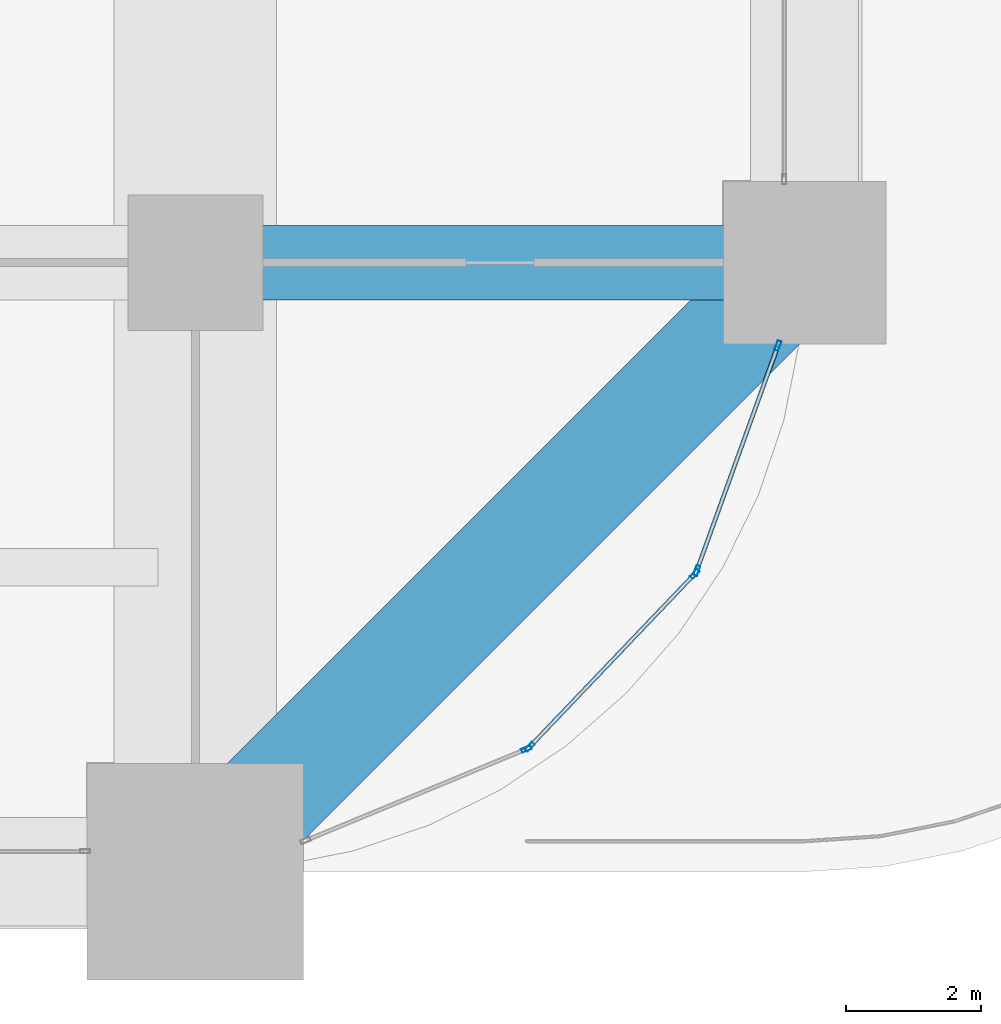
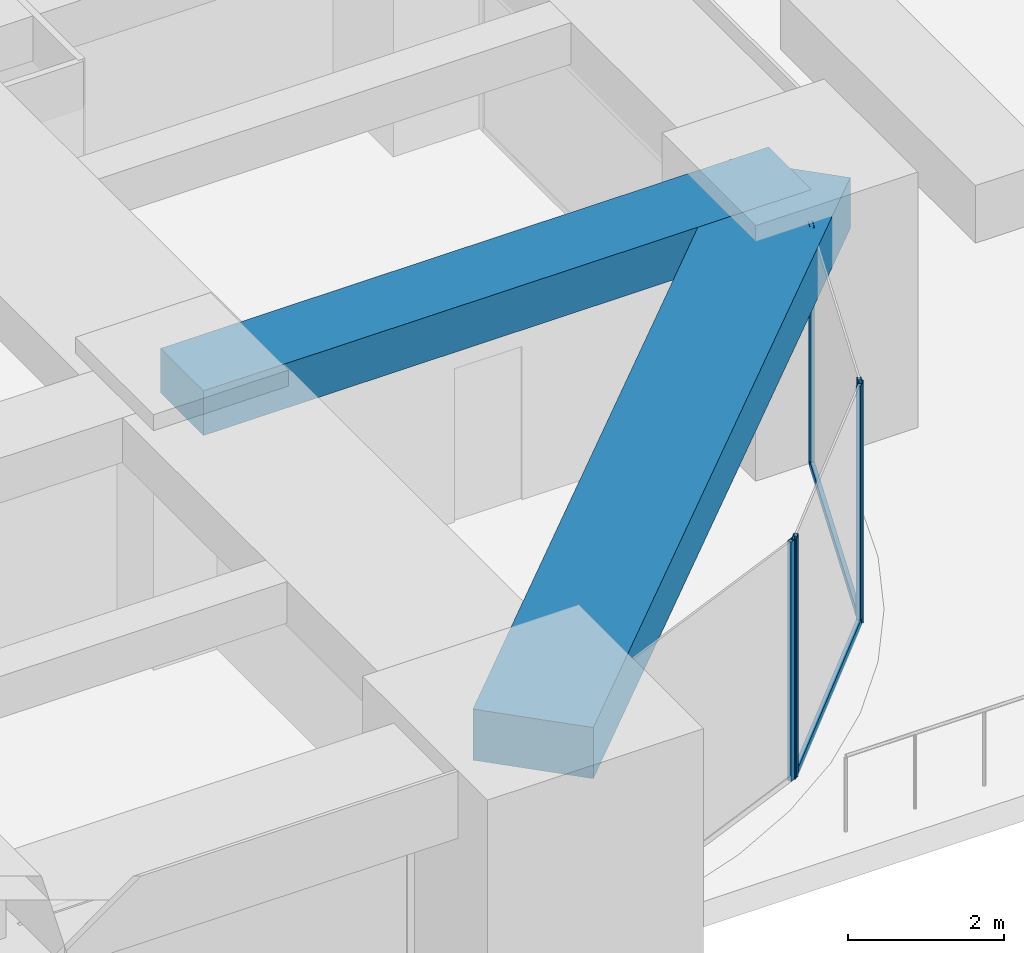
# One storey, part 17 of 35: 7 members, 2 beams, 3 elements without a shape of their own.
"""IFC4 building model written with IfcOpenShell, lengths in metres."""

from ifc_helpers import new_model, si_unit, direction, frame, origin, origin_2d, place, context, subcontext, project, spatial, rectangle, hollow_rectangle, extrude, material, material_profile, profile_set, type_object, element, aggregate, save


model = new_model("IFC4")

# Units and contexts
model_context = context("Model", 3, precision=1e-05, world=origin(), true_north=direction((0.0, 1.0)))
body_context = subcontext(model_context, "Body", "Model", "MODEL_VIEW")
ifc_project = project(units=[si_unit("LENGTHUNIT", "METRE"), si_unit("AREAUNIT", "SQUARE_METRE"), si_unit("VOLUMEUNIT", "CUBIC_METRE"), si_unit("PLANEANGLEUNIT", "RADIAN"), si_unit("MASSUNIT", "GRAM", prefix="KILO")], contexts=[model_context])

# Site, building, storey
site_placement = place(None, origin())
site = spatial("IfcSite", under=ifc_project, at=site_placement, CompositionType="ELEMENT")
building_placement = place(site_placement, origin())
building = spatial("IfcBuilding", under=site, at=building_placement, Name="Zorevar Civic Tower", CompositionType="ELEMENT")
storey_placement = place(building_placement, frame((0.0, 0.0, 162.199951171875)))
storey = spatial("IfcBuildingStorey", under=building, at=storey_placement, Name="L39", CompositionType="ELEMENT", Elevation=162.199951171875)

# Beam
ifc_material_1 = material(Name="Concrete C50/60", Category="concrete")
ifc_material_profile_1 = material_profile(ifc_material_1, rectangle(XDim=1.10009765625, YDim=0.699951171875, at=origin_2d()), Name="RC 1100x700")
ifc_profile_set_1 = profile_set([ifc_material_profile_1], Name="Concrete C50/60")
beam_type_1 = type_object("IfcBeamType", Name="Beam RC 1100x700", PredefinedType="BEAM", material=ifc_profile_set_1)
beam_1_placement = place(storey_placement, frame((45.0, 9.0, 3.400146484375), z_axis=(1.0, 0.0, 0.0), x_axis=(0.0, 1.0, 0.0)))
element("IfcBeam", 1, at=beam_1_placement, inside=storey, type_object=beam_type_1, Name="Girder L40", PredefinedType="BEAM", context=body_context, shape_type="SweptSolid", body=[
    extrude(rectangle(XDim=1.10009765625, YDim=0.699951171875, at=origin_2d()), origin(), (0.0, 0.0, 1.0), 9.0),
])

# Curtain wall, member
ifc_material_2 = material(Name="Dark grey solar-control glass in black aluminium frame", Category="aluminium")
curtain_wall_type = type_object("IfcCurtainWallType", Name="Curtain wall CW4 high zone", PredefinedType="NOTDEFINED", material=ifc_material_2)
curtain_wall_1_placement = place(storey_placement, origin())
curtain_wall_1 = element("IfcCurtainWall", 2, at=curtain_wall_1_placement, inside=storey, type_object=curtain_wall_type, Name="CW4 L39", PredefinedType="NOTDEFINED")
ifc_material_3 = material(Name="Aluminium, black anodised", Category="aluminium")
ifc_material_profile_2 = material_profile(ifc_material_3, hollow_rectangle(XDim=0.06005859375, YDim=0.14990234375, WallThickness=0.00390625, at=origin_2d()), Name="AL 150x60x4")
ifc_profile_set_2 = profile_set([ifc_material_profile_2], Name="Aluminium, black anodised")
member_type_1 = type_object("IfcMemberType", Name="CW4 mullion AL 150x60x4", PredefinedType="MULLION", material=ifc_profile_set_2)
member_1_placement = place(storey_placement, frame((49.890380859375, 1.81201171875, 0.0), z_axis=(0.0, 0.0, 1.0), x_axis=(-0.382841193399, 0.92381416997, 0.0)))
member_1 = element("IfcMember", 3, at=member_1_placement, type_object=member_type_1, Name="CW4 mullion 2", PredefinedType="MULLION", context=body_context, shape_type="SweptSolid", body=[
    extrude(hollow_rectangle(XDim=0.06005859375, YDim=0.14990234375, WallThickness=0.00390625, at=origin_2d()), origin(), (0.0, 0.0, 1.0), 3.75),
])
aggregate(curtain_wall_1, [member_1])

# Curtain wall, members
curtain_wall_2_placement = place(storey_placement, origin())
curtain_wall_2 = element("IfcCurtainWall", 4, at=curtain_wall_2_placement, inside=storey, type_object=curtain_wall_type, Name="CW4 L39", PredefinedType="NOTDEFINED")
member_2_placement = place(storey_placement, frame((49.938720703125, 1.84521484375, 0.0), z_axis=(0.0, 0.0, 1.0), x_axis=(-0.723392628671, 0.690436894136, 0.0)))
member_2 = element("IfcMember", 5, at=member_2_placement, type_object=member_type_1, Name="CW4 mullion 1", PredefinedType="MULLION", context=body_context, shape_type="SweptSolid", body=[
    extrude(hollow_rectangle(XDim=0.06005859375, YDim=0.14990234375, WallThickness=0.00390625, at=origin_2d()), origin(), (0.0, 0.0, 1.0), 3.75),
])
member_3_placement = place(storey_placement, frame((52.376953125, 4.39990234375, 0.0), z_axis=(0.0, 0.0, 1.0), x_axis=(-0.723392628671, 0.690436894136, 0.0)))
member_3 = element("IfcMember", 6, at=member_3_placement, type_object=member_type_1, Name="CW4 mullion 2", PredefinedType="MULLION", context=body_context, shape_type="SweptSolid", body=[
    extrude(hollow_rectangle(XDim=0.06005859375, YDim=0.14990234375, WallThickness=0.00390625, at=origin_2d()), origin(), (0.0, 0.0, 1.0), 3.75),
])

curtain_wall_3_placement = place(storey_placement, origin())
curtain_wall_3 = element("IfcCurtainWall", 7, at=curtain_wall_3_placement, inside=storey, type_object=curtain_wall_type, Name="CW4 L39", PredefinedType="NOTDEFINED")
member_4_placement = place(storey_placement, frame((52.407958984375, 4.44970703125, 0.0), z_axis=(0.0, 0.0, 1.0), x_axis=(-0.940636829761, 0.339414723454, 0.0)))
member_4 = element("IfcMember", 8, at=member_4_placement, type_object=member_type_1, Name="CW4 mullion 1", PredefinedType="MULLION", context=body_context, shape_type="SweptSolid", body=[
    extrude(hollow_rectangle(XDim=0.06005859375, YDim=0.14990234375, WallThickness=0.00390625, at=origin_2d()), origin(), (0.0, 0.0, 1.0), 3.75),
])
member_5_placement = place(storey_placement, frame((53.606689453125, 7.771728515625, 0.0), z_axis=(0.0, 0.0, 1.0), x_axis=(-0.940636829761, 0.339414723454, 0.0)))
member_5 = element("IfcMember", 9, at=member_5_placement, type_object=member_type_1, Name="CW4 mullion 2", PredefinedType="MULLION", context=body_context, shape_type="SweptSolid", body=[
    extrude(hollow_rectangle(XDim=0.06005859375, YDim=0.14990234375, WallThickness=0.00390625, at=origin_2d()), origin(), (0.0, 0.0, 1.0), 3.75),
])

# Member
ifc_material_4 = material(Name="Aluminium, black anodised", Category="aluminium")
ifc_material_profile_3 = material_profile(ifc_material_4, hollow_rectangle(XDim=0.06005859375, YDim=0.1201171875, WallThickness=0.0029296875, at=origin_2d()), Name="AL 120x60x3")
ifc_profile_set_3 = profile_set([ifc_material_profile_3], Name="Aluminium, black anodised")
member_type_2 = type_object("IfcMemberType", Name="CW4 transom AL 120x60x3", PredefinedType="USERDEFINED", material=ifc_profile_set_3)
member_6_placement = place(storey_placement, frame((49.95947265625, 1.866943359375, 0.030029296875), z_axis=(0.690459020354, 0.723371509815, 0.0), x_axis=(-0.723371509815, 0.690459020354, 0.0)))
member_6 = element("IfcMember", 10, at=member_6_placement, type_object=member_type_2, Name="CW4 sill transom", ObjectType="TRANSOM", PredefinedType="USERDEFINED", context=body_context, shape_type="SweptSolid", body=[
    extrude(hollow_rectangle(XDim=0.06005859375, YDim=0.1201171875, WallThickness=0.0029296875, at=origin_2d()), origin(), (0.0, 0.0, 1.0), 3.4716796875),
])

aggregate(curtain_wall_2, [member_2, member_3, member_6])

member_7_placement = place(storey_placement, frame((52.418212890625, 4.47802734375, 0.030029296875), z_axis=(0.339381781019, 0.940648715894, 0.0), x_axis=(-0.940648715894, 0.339381781019, 0.0)))
member_7 = element("IfcMember", 11, at=member_7_placement, type_object=member_type_2, Name="CW4 sill transom", ObjectType="TRANSOM", PredefinedType="USERDEFINED", context=body_context, shape_type="SweptSolid", body=[
    extrude(hollow_rectangle(XDim=0.06005859375, YDim=0.1201171875, WallThickness=0.0029296875, at=origin_2d()), origin(), (0.0, 0.0, 1.0), 3.4716796875),
])

aggregate(curtain_wall_3, [member_4, member_5, member_7])

# Beam
ifc_material_5 = material(Name="Concrete C50/60", Category="concrete")
ifc_material_profile_4 = material_profile(ifc_material_5, rectangle(XDim=1.60009765625, YDim=0.800048828125, at=origin_2d()), Name="RC 1600x800")
ifc_profile_set_4 = profile_set([ifc_material_profile_4], Name="Concrete C50/60")
beam_type_2 = type_object("IfcBeamType", Name="Edge beam RC 1600x800", PredefinedType="SPANDREL", material=ifc_profile_set_4)
beam_2_placement = place(storey_placement, frame((45.0, 0.0, 3.35009765625), z_axis=(0.707106781187, 0.707106781187, 0.0), x_axis=(-0.707106781187, 0.707106781187, 0.0)))
element("IfcBeam", 12, at=beam_2_placement, inside=storey, type_object=beam_type_2, Name="Corner edge beam L40", PredefinedType="SPANDREL", context=body_context, shape_type="SweptSolid", body=[
    extrude(rectangle(XDim=1.60009765625, YDim=0.800048828125, at=origin_2d()), origin(), (0.0, 0.0, 1.0), 12.72802734375),
])

save(model, "model.ifc")
